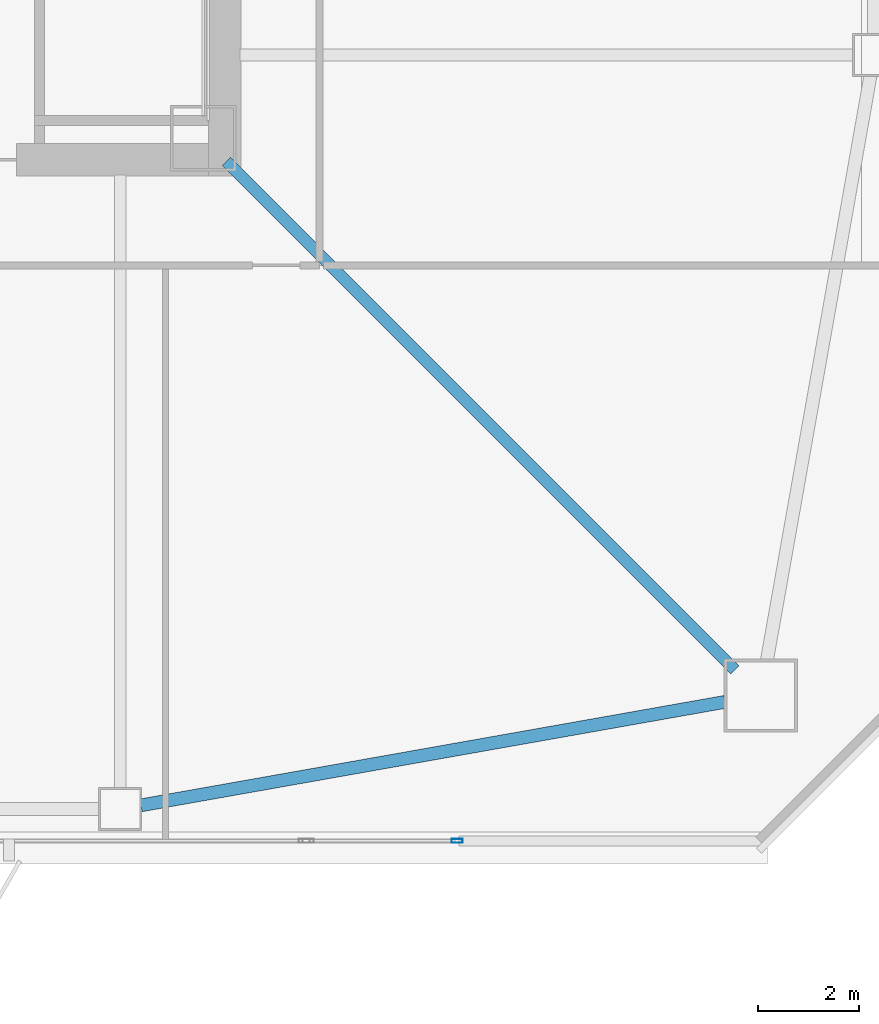
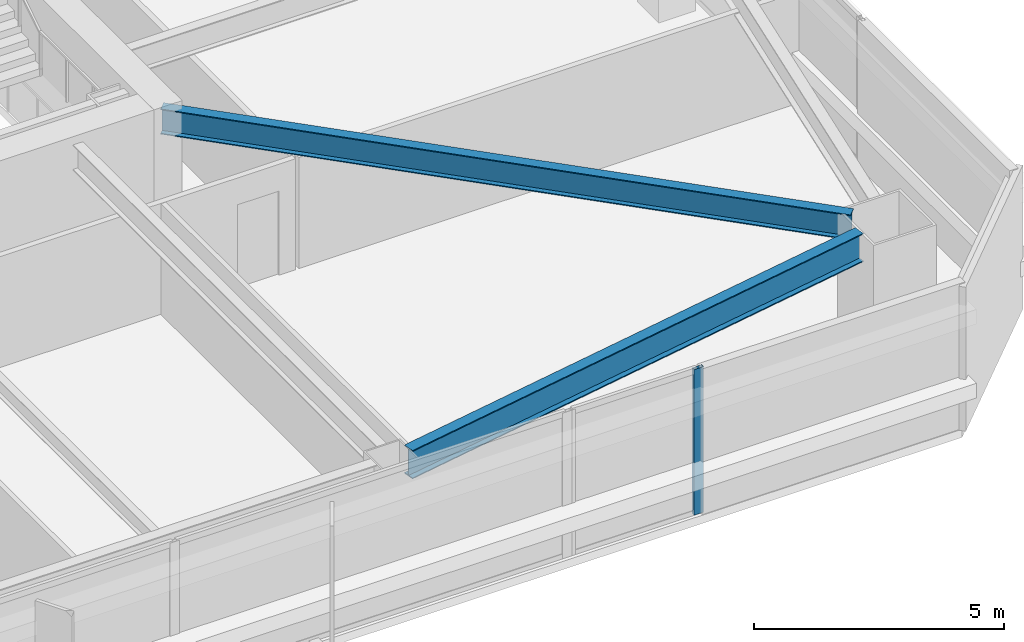
# One storey, part 9 of 49: 2 beams, 1 member, 1 element without a shape of its own.
"""IFC4 building model written with IfcOpenShell, lengths in metres."""

import ifcopenshell
import ifcopenshell.guid

model = None  # the IFC model being written
_history = None  # IfcOwnerHistory: only IFC2X3 demands one
_inside = {}  # id of a spatial element -> (the spatial element, [elements in it])
_under = {}  # id of a project, library or spatial element -> (it, [spatial elements below it])
_declared = {}  # id of a project -> (the project, [libraries it declares])
_typed = {}  # id of a type object -> (the type object, [elements of that type])
_made_of = {}  # id of a material, layer set ... -> (it, [elements and type objects made of it])


def new_model(schema):
    """Start an empty IFC model of exactly this schema.

    Asked for "IFC4X3", IfcOpenShell would pick the latest addendum, in which some entities
    have other attributes; the version numbers below select the first issue.
    IFC2X3 requires an IfcOwnerHistory on every rooted entity: one is made here for all.
    """
    global model, _history
    if schema == "IFC4X3":
        model = ifcopenshell.file(schema_version=(4, 3, 0, 0))
    else:
        model = ifcopenshell.file(schema=schema)
    _inside.clear()
    _under.clear()
    _declared.clear()
    _typed.clear()
    _made_of.clear()
    _history = None
    if model.schema == "IFC2X3":
        org = make("IfcOrganization", Name="unknown")
        user = make(
            "IfcPersonAndOrganization",
            ThePerson=make("IfcPerson", FamilyName="unknown"),
            TheOrganization=org,
        )
        app = make(
            "IfcApplication",
            ApplicationDeveloper=org,
            Version="unknown",
            ApplicationFullName="unknown",
            ApplicationIdentifier="unknown",
        )
        _history = make(
            "IfcOwnerHistory",
            OwningUser=user,
            OwningApplication=app,
            ChangeAction="ADDED",
            CreationDate=0,
        )
    return model


def make(cls, **values):
    """One entity of the class cls with the attributes given. An attribute that is None is left unset."""
    return model.create_entity(
        cls, **{name: value for name, value in values.items() if value is not None}
    )


def rooted(cls, **values):
    """An entity with a GlobalId (a new one), such as an element, a storey or a relation."""
    return make(cls, GlobalId=ifcopenshell.guid.new(), OwnerHistory=_history, **values)


def si_unit(unit_type, name, prefix=None):
    """IfcSIUnit, for example si_unit("LENGTHUNIT", "METRE", prefix="MILLI")."""
    return make("IfcSIUnit", UnitType=unit_type, Prefix=prefix, Name=name)


def assignment(units):
    """IfcUnitAssignment: the units of a project."""
    return None if units is None else make("IfcUnitAssignment", Units=units)


def point(xyz):
    """IfcCartesianPoint."""
    return None if xyz is None else make("IfcCartesianPoint", Coordinates=xyz)


def direction(xyz):
    """IfcDirection."""
    return None if xyz is None else make("IfcDirection", DirectionRatios=xyz)


def frame(location, z_axis=None, x_axis=None):
    """IfcAxis2Placement3D, a coordinate frame: its origin and axes. An axis left out is left unset."""
    return make(
        "IfcAxis2Placement3D",
        Location=point(location),
        Axis=direction(z_axis),
        RefDirection=direction(x_axis),
    )


def frame_2d(location, x_axis=None):
    """IfcAxis2Placement2D, a coordinate frame in the plane: its origin and x axis."""
    return make(
        "IfcAxis2Placement2D", Location=point(location), RefDirection=direction(x_axis)
    )


def origin():
    """The frame at (0, 0, 0) with its axes left unset."""
    return frame((0.0, 0.0, 0.0))


def origin_2d():
    """The frame at (0, 0) in the plane with its x axis left unset."""
    return frame_2d((0.0, 0.0))


def place(relative_to, where):
    """IfcLocalPlacement: puts the frame where relative to a parent placement (None: the world)."""
    return make(
        "IfcLocalPlacement", PlacementRelTo=relative_to, RelativePlacement=where
    )


def context(
    kind, dimensions, precision=None, world=None, true_north=None, identifier=None
):
    """IfcGeometricRepresentationContext, for example the 3D "Model" context."""
    return make(
        "IfcGeometricRepresentationContext",
        ContextIdentifier=identifier,
        ContextType=kind,
        CoordinateSpaceDimension=dimensions,
        Precision=precision,
        WorldCoordinateSystem=world,
        TrueNorth=true_north,
    )


def subcontext(parent, identifier, kind, view, scale=None):
    """IfcGeometricRepresentationSubContext, for example "Body" below "Model"."""
    return make(
        "IfcGeometricRepresentationSubContext",
        ContextIdentifier=identifier,
        ContextType=kind,
        ParentContext=parent,
        TargetScale=scale,
        TargetView=view,
    )


def project(units=None, contexts=None):
    """IfcProject with its units and contexts."""
    return rooted(
        "IfcProject",
        Name="project",
        RepresentationContexts=contexts,
        UnitsInContext=assignment(units),
    )


def spatial(cls, under=None, at=None, **own):
    """A site, building, storey or space (cls), placed at a placement, below another one or the project."""
    s = rooted(cls, ObjectPlacement=at, **own)
    if under is not None:
        _under.setdefault(under.id(), (under, []))[1].append(s)
    return s


def profile(cls, at=None, kind="AREA", **sizes):
    """A parametric profile (cls). Its sizes go by their IFC names, for example OverallWidth=200.0."""
    return make(cls, ProfileType=kind, Position=at, **sizes)


def hollow_rectangle(**sizes):
    """IfcRectangleHollowProfileDef."""
    return profile("IfcRectangleHollowProfileDef", **sizes)


def i_section(**sizes):
    """IfcIShapeProfileDef."""
    return profile("IfcIShapeProfileDef", **sizes)


def extrude(swept, where, along, depth):
    """IfcExtrudedAreaSolid: the profile swept, set in the frame where, extruded along a direction by depth."""
    return make(
        "IfcExtrudedAreaSolid",
        SweptArea=swept,
        Position=where,
        ExtrudedDirection=direction(along),
        Depth=depth,
    )


def shape(context_of_items, identifier, shape_type, items):
    """IfcShapeRepresentation: the items that make up one representation, for example the "Body"."""
    return make(
        "IfcShapeRepresentation",
        ContextOfItems=context_of_items,
        RepresentationIdentifier=identifier,
        RepresentationType=shape_type,
        Items=items,
    )


def material(Name=None, Category=None):
    """IfcMaterial."""
    return make("IfcMaterial", Name=Name, Category=Category)


def material_profile(
    of_material, cross_section, Name=None, Category=None, Priority=None
):
    """IfcMaterialProfile: a cross section and its material."""
    return make(
        "IfcMaterialProfile",
        Name=Name,
        Material=of_material,
        Profile=cross_section,
        Priority=Priority,
        Category=Category,
    )


def profile_set(profiles, Name=None, composite=None):
    """IfcMaterialProfileSet."""
    return make(
        "IfcMaterialProfileSet",
        Name=Name,
        MaterialProfiles=profiles,
        CompositeProfile=composite,
    )


def made_of(thing, what):
    """Note that an element or type object is made of a material, layer set ...; save() writes the relation."""
    if what is not None:
        _made_of.setdefault(what.id(), (what, []))[1].append(thing)
    return thing


def type_object(cls, material=None, **own):
    """A type object (cls), such as IfcWallType, which elements share."""
    return made_of(rooted(cls, **own), material)


def element(
    cls,
    number,
    at=None,
    inside=None,
    cuts=None,
    type_object=None,
    material=None,
    context=None,
    identifier="Body",
    shape_type=None,
    held_by="IfcProductDefinitionShape",
    body=None,
    shapes=None,
    **own,
):
    """One element of the class cls, such as IfcWall. Its Tag is "e" and its number.

    at: its placement. inside: the storey or other place that contains it. cuts: it is an
    opening in that element (IfcRelVoidsElement). A single representation is given by context,
    identifier, shape_type and body (its items); several are given by shapes. held_by: the class
    of the entity that holds the representations. save() writes the other relations.
    """
    e = rooted(cls, Tag="e%d" % number, ObjectPlacement=at, **own)
    if body is not None:
        shapes = [shape(context, identifier, shape_type, body)]
    if shapes is not None:
        e.Representation = make(held_by, Representations=shapes)
    if inside is not None:
        _inside.setdefault(inside.id(), (inside, []))[1].append(e)
    if cuts is not None:
        rooted(
            "IfcRelVoidsElement", RelatingBuildingElement=cuts, RelatedOpeningElement=e
        )
    if type_object is not None:
        _typed.setdefault(type_object.id(), (type_object, []))[1].append(e)
    return made_of(e, material)


def aggregate(whole, parts):
    """IfcRelAggregates: a whole, such as a stair, and the parts it consists of."""
    return rooted("IfcRelAggregates", RelatingObject=whole, RelatedObjects=parts)


def save(model, path):
    """Write the relations noted so far, then the file.

    IfcRelAggregates (storeys below a building ...), IfcRelContainedInSpatialStructure (elements
    in a storey), IfcRelDefinesByType, IfcRelAssociatesMaterial and IfcRelDeclares: one each for
    every whole, place, type object, material and project.
    """
    for whole, parts in _under.values():
        aggregate(whole, parts)
    for where, things in _inside.values():
        rooted(
            "IfcRelContainedInSpatialStructure",
            RelatedElements=things,
            RelatingStructure=where,
        )
    for kind, things in _typed.values():
        rooted("IfcRelDefinesByType", RelatedObjects=things, RelatingType=kind)
    for what, things in _made_of.values():
        rooted("IfcRelAssociatesMaterial", RelatedObjects=things, RelatingMaterial=what)
    for by, libraries in _declared.values():
        rooted("IfcRelDeclares", RelatingContext=by, RelatedDefinitions=libraries)
    model.write(path)


model = new_model("IFC4")

# Units and contexts
model_context = context("Model", 3, precision=1e-05, world=origin(), true_north=direction((0.0, 1.0)))
body_context = subcontext(model_context, "Body", "Model", "MODEL_VIEW")
ifc_project = project(units=[si_unit("LENGTHUNIT", "METRE"), si_unit("AREAUNIT", "SQUARE_METRE"), si_unit("VOLUMEUNIT", "CUBIC_METRE"), si_unit("PLANEANGLEUNIT", "RADIAN"), si_unit("MASSUNIT", "GRAM", prefix="KILO")], contexts=[model_context])

# Site, building, storey
site_placement = place(None, origin())
site = spatial("IfcSite", under=ifc_project, at=site_placement, CompositionType="ELEMENT")
building_placement = place(site_placement, origin())
building = spatial("IfcBuilding", under=site, at=building_placement, Name="Tashvorn Skyway Center", CompositionType="ELEMENT")
storey_placement = place(building_placement, frame((0.0, 0.0, 70.75)))
storey = spatial("IfcBuildingStorey", under=building, at=storey_placement, Name="L18", CompositionType="ELEMENT", Elevation=70.75)

# Beams
ifc_material_1 = material(Name="Steel ASTM A992 Grade 50", Category="steel")
ifc_material_profile_1 = material_profile(ifc_material_1, i_section(OverallWidth=0.22998046875, OverallDepth=0.616943359375, WebThickness=0.01318359375, FlangeThickness=0.022216796875, at=origin_2d()), Name="W24X94")
ifc_profile_set_1 = profile_set([ifc_material_profile_1], Name="Steel ASTM A992 Grade 50")
beam_type_1 = type_object("IfcBeamType", Name="BM-BEAM-W24X94", PredefinedType="BEAM", material=ifc_profile_set_1)
beam_1_placement = place(storey_placement, frame((59.5908203125, 14.4091796875, 3.04150390625), z_axis=(-0.707106781187, 0.707106781187, 0.0), x_axis=(-0.707106781187, -0.707106781187, 0.0)))
element("IfcBeam", 1, at=beam_1_placement, inside=storey, type_object=beam_type_1, Name="Tower 1 L18 Primary Floor Girder MC-SE", PredefinedType="BEAM", context=body_context, shape_type="SweptSolid", body=[
    extrude(i_section(OverallWidth=0.22998046875, OverallDepth=0.616943359375, WebThickness=0.01318359375, FlangeThickness=0.022216796875, at=origin_2d()), origin(), (0.0, 0.0, 1.0), 14.261962890625),
])
ifc_material_profile_2 = material_profile(ifc_material_1, i_section(OverallWidth=0.256103515625, OverallDepth=0.693115234375, WebThickness=0.014404296875, FlangeThickness=0.023681640625, at=origin_2d()), Name="W27X114")
ifc_profile_set_2 = profile_set([ifc_material_profile_2], Name="Steel ASTM A992 Grade 50")
beam_type_2 = type_object("IfcBeamType", Name="BM-SPANDREL-W27X114", PredefinedType="SPANDREL", material=ifc_profile_set_2)
beam_2_placement = place(storey_placement, frame((47.8134765625, 11.723388671875, 3.00341796875), z_axis=(0.98466816531, 0.174437966698, 0.0), x_axis=(-0.174437966698, 0.98466816531, 0.0)))
element("IfcBeam", 2, at=beam_2_placement, inside=storey, type_object=beam_type_2, Name="Tower 1 L18 Spandrel Beam 03", PredefinedType="SPANDREL", context=body_context, shape_type="SweptSolid", body=[
    extrude(i_section(OverallWidth=0.256103515625, OverallDepth=0.693115234375, WebThickness=0.014404296875, FlangeThickness=0.023681640625, at=origin_2d()), origin(), (0.0, 0.0, 1.0), 11.7578125),
])

# Curtain wall, member
ifc_material_2 = material(Name="Thermally broken bronze-anodized aluminium 6063-T6", Category="aluminium")
curtain_wall_type = type_object("IfcCurtainWallType", Name="CW-CW-Z2", PredefinedType="NOTDEFINED", material=ifc_material_2)
curtain_wall_placement = place(storey_placement, origin())
curtain_wall = element("IfcCurtainWall", 3, at=curtain_wall_placement, inside=storey, type_object=curtain_wall_type, Name="Tower 1 L18 South Unitised Curtain Wall Glazing Group 1", PredefinedType="NOTDEFINED")
ifc_material_profile_3 = material_profile(ifc_material_2, hollow_rectangle(XDim=0.080078125, YDim=0.219970703125, WallThickness=0.0048828125, at=origin_2d()), Name="ALU-MULL-80x220")
ifc_profile_set_3 = profile_set([ifc_material_profile_3], Name="Thermally broken bronze-anodized aluminium 6063-T6")
member_type = type_object("IfcMemberType", Name="CWM-CW-Z2", PredefinedType="MULLION", material=ifc_profile_set_3)
member_placement = place(storey_placement, frame((54.080078125, 11.02001953125, 0.0), z_axis=(0.0, 0.0, 1.0), x_axis=(0.0, -1.0, 0.0)))
member = element("IfcMember", 4, at=member_placement, type_object=member_type, Name="CW-Z2 mullion 1", PredefinedType="MULLION", context=body_context, shape_type="SweptSolid", body=[
    extrude(hollow_rectangle(XDim=0.080078125, YDim=0.219970703125, WallThickness=0.0048828125, at=origin_2d()), origin(), (0.0, 0.0, 1.0), 3.550048828125),
])
aggregate(curtain_wall, [member])

save(model, "model.ifc")
